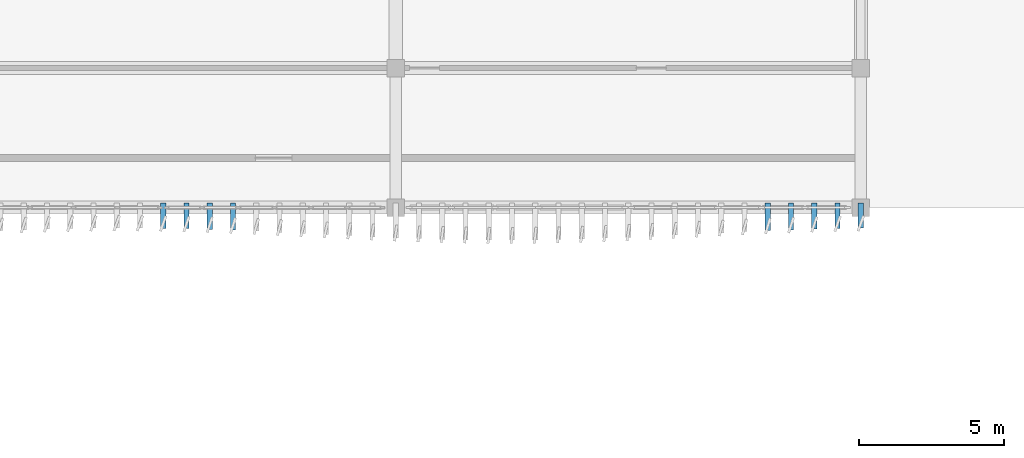
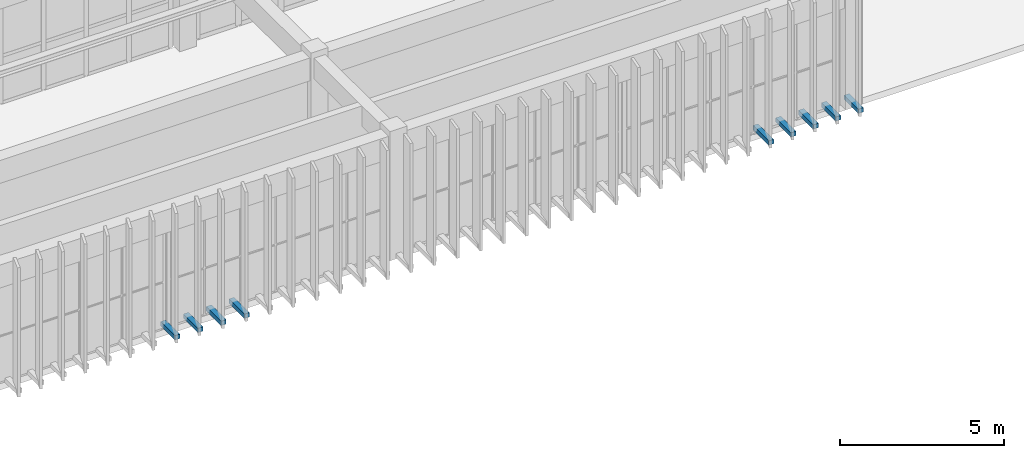
# One storey, part 64 of 76: 9 discrete accessories.
"""IFC4 building model written with IfcOpenShell, lengths in metres."""

from ifc_helpers import new_model, si_unit, direction, frame, origin, origin_2d, place, context, subcontext, project, spatial, rectangle, extrude, material, type_object, element, save


model = new_model("IFC4")

# Units and contexts
model_context = context("Model", 3, precision=1e-05, world=origin(), true_north=direction((0.0, 1.0)))
body_context = subcontext(model_context, "Body", "Model", "MODEL_VIEW")
ifc_project = project(units=[si_unit("LENGTHUNIT", "METRE"), si_unit("AREAUNIT", "SQUARE_METRE"), si_unit("VOLUMEUNIT", "CUBIC_METRE"), si_unit("PLANEANGLEUNIT", "RADIAN"), si_unit("MASSUNIT", "GRAM", prefix="KILO")], contexts=[model_context])

# Site, building, storey
site_placement = place(None, origin())
site = spatial("IfcSite", under=ifc_project, at=site_placement, CompositionType="ELEMENT")
building_placement = place(site_placement, origin())
building = spatial("IfcBuilding", under=site, at=building_placement, Name="Cinchona Park Media Centre", CompositionType="ELEMENT")
storey_placement = place(building_placement, frame((0.0, 0.0, 15.60009765625)))
storey = spatial("IfcBuildingStorey", under=building, at=storey_placement, Name="L03", CompositionType="ELEMENT", Elevation=15.60009765625)

# Discrete accessories
ifc_material = material(Name="Steel S355", Category="steel")
discrete_accessory_type = type_object("IfcDiscreteAccessoryType", Name="BRACKET-BRK01", PredefinedType="BRACKET", material=ifc_material)
discrete_accessory_1_placement = place(storey_placement, frame((102.800048828125, 74.52392578125, 0.0400390625), z_axis=(0.0, 0.0, 1.0), x_axis=(1.0, 0.0, 0.0)))
element("IfcDiscreteAccessory", 1, at=discrete_accessory_1_placement, inside=storey, type_object=discrete_accessory_type, Name="Facade Fin Outrigger Bracket L03", PredefinedType="BRACKET", context=body_context, shape_type="SweptSolid", body=[
    extrude(rectangle(XDim=0.179931640625, YDim=0.8720703125, at=origin_2d()), origin(), (0.0, 0.0, 1.0), 0.159912109375),
])
discrete_accessory_2_placement = place(storey_placement, frame((103.60009765625, 74.51611328125, 0.0400390625), z_axis=(0.0, 0.0, 1.0), x_axis=(1.0, 0.0, 0.0)))
element("IfcDiscreteAccessory", 2, at=discrete_accessory_2_placement, inside=storey, type_object=discrete_accessory_type, Name="Facade Fin Outrigger Bracket L03", PredefinedType="BRACKET", context=body_context, shape_type="SweptSolid", body=[
    extrude(rectangle(XDim=0.179931640625, YDim=0.887939453125, at=origin_2d()), origin(), (0.0, 0.0, 1.0), 0.159912109375),
])
discrete_accessory_3_placement = place(storey_placement, frame((104.39990234375, 74.50390625, 0.0400390625), z_axis=(0.0, 0.0, 1.0), x_axis=(1.0, 0.0, 0.0)))
element("IfcDiscreteAccessory", 3, at=discrete_accessory_3_placement, inside=storey, type_object=discrete_accessory_type, Name="Facade Fin Outrigger Bracket L03", PredefinedType="BRACKET", context=body_context, shape_type="SweptSolid", body=[
    extrude(rectangle(XDim=0.179931640625, YDim=0.910888671875, at=origin_2d()), origin(), (0.0, 0.0, 1.0), 0.159912109375),
])
discrete_accessory_4_placement = place(storey_placement, frame((105.199951171875, 74.489990234375, 0.0400390625), z_axis=(0.0, 0.0, 1.0), x_axis=(1.0, 0.0, 0.0)))
element("IfcDiscreteAccessory", 4, at=discrete_accessory_4_placement, inside=storey, type_object=discrete_accessory_type, Name="Facade Fin Outrigger Bracket L03", PredefinedType="BRACKET", context=body_context, shape_type="SweptSolid", body=[
    extrude(rectangle(XDim=0.179931640625, YDim=0.93994140625, at=origin_2d()), origin(), (0.0, 0.0, 1.0), 0.159912109375),
])
discrete_accessory_5_placement = place(storey_placement, frame((123.60009765625, 74.48193359375, 0.0400390625), z_axis=(0.0, 0.0, 1.0), x_axis=(1.0, 0.0, 0.0)))
element("IfcDiscreteAccessory", 5, at=discrete_accessory_5_placement, inside=storey, type_object=discrete_accessory_type, Name="Facade Fin Outrigger Bracket L03", PredefinedType="BRACKET", context=body_context, shape_type="SweptSolid", body=[
    extrude(rectangle(XDim=0.179931640625, YDim=0.9560546875, at=origin_2d()), origin(), (0.0, 0.0, 1.0), 0.159912109375),
])
discrete_accessory_6_placement = place(storey_placement, frame((124.39990234375, 74.4970703125, 0.0400390625), z_axis=(0.0, 0.0, 1.0), x_axis=(1.0, 0.0, 0.0)))
element("IfcDiscreteAccessory", 6, at=discrete_accessory_6_placement, inside=storey, type_object=discrete_accessory_type, Name="Facade Fin Outrigger Bracket L03", PredefinedType="BRACKET", context=body_context, shape_type="SweptSolid", body=[
    extrude(rectangle(XDim=0.179931640625, YDim=0.925048828125, at=origin_2d()), origin(), (0.0, 0.0, 1.0), 0.159912109375),
])
discrete_accessory_7_placement = place(storey_placement, frame((125.199951171875, 74.510986328125, 0.0400390625), z_axis=(0.0, 0.0, 1.0), x_axis=(1.0, 0.0, 0.0)))
element("IfcDiscreteAccessory", 7, at=discrete_accessory_7_placement, inside=storey, type_object=discrete_accessory_type, Name="Facade Fin Outrigger Bracket L03", PredefinedType="BRACKET", context=body_context, shape_type="SweptSolid", body=[
    extrude(rectangle(XDim=0.179931640625, YDim=0.89892578125, at=origin_2d()), origin(), (0.0, 0.0, 1.0), 0.159912109375),
])
discrete_accessory_8_placement = place(storey_placement, frame((126.0, 74.52099609375, 0.0400390625), z_axis=(0.0, 0.0, 1.0), x_axis=(1.0, 0.0, 0.0)))
element("IfcDiscreteAccessory", 8, at=discrete_accessory_8_placement, inside=storey, type_object=discrete_accessory_type, Name="Facade Fin Outrigger Bracket L03", PredefinedType="BRACKET", context=body_context, shape_type="SweptSolid", body=[
    extrude(rectangle(XDim=0.179931640625, YDim=0.87890625, at=origin_2d()), origin(), (0.0, 0.0, 1.0), 0.159912109375),
])
discrete_accessory_9_placement = place(storey_placement, frame((126.800048828125, 74.527099609375, 0.0400390625), z_axis=(0.0, 0.0, 1.0), x_axis=(1.0, 0.0, 0.0)))
element("IfcDiscreteAccessory", 9, at=discrete_accessory_9_placement, inside=storey, type_object=discrete_accessory_type, Name="Facade Fin Outrigger Bracket L03", PredefinedType="BRACKET", context=body_context, shape_type="SweptSolid", body=[
    extrude(rectangle(XDim=0.179931640625, YDim=0.865966796875, at=origin_2d()), origin(), (0.0, 0.0, 1.0), 0.159912109375),
])

save(model, "model.ifc")
